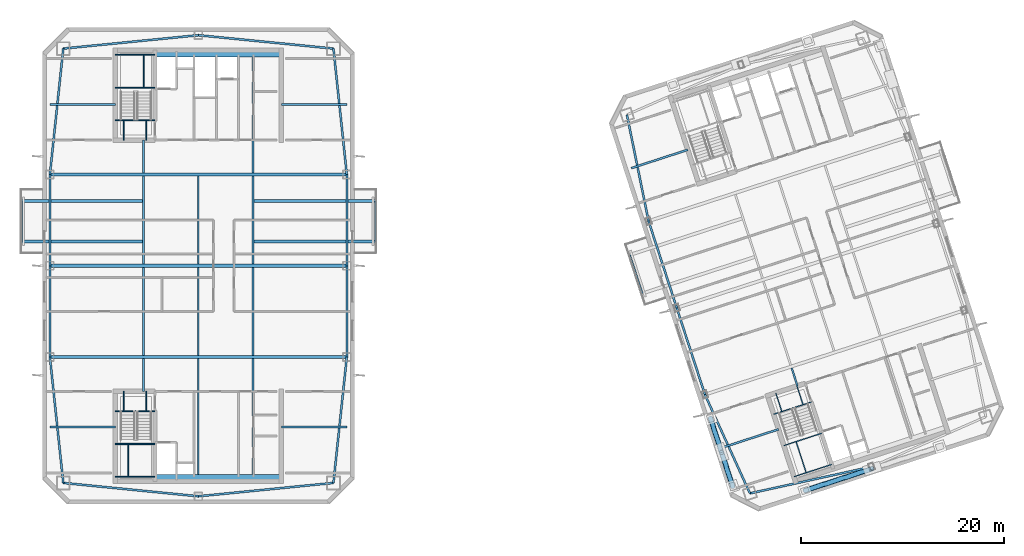
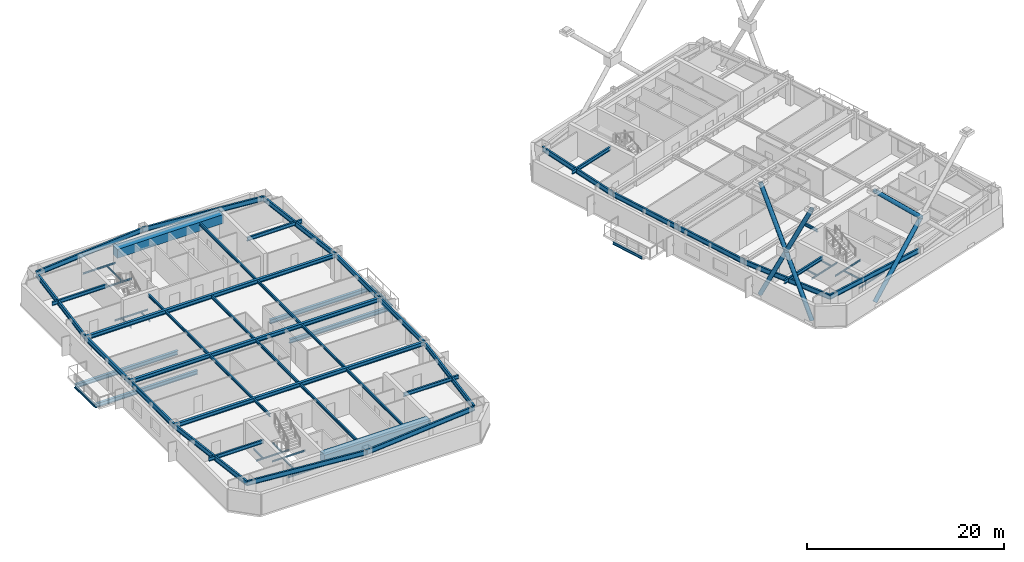
# One storey, part 3 of 18: 65 beams, 6 members.
"""IFC4 building model written with IfcOpenShell, lengths in metres."""

from ifc_helpers import new_model, si_unit, direction, frame, origin, origin_2d, place, context, subcontext, project, spatial, rectangle, hollow_circle, i_section, extrude, material, material_profile, profile_set, type_object, element, save


model = new_model("IFC4")

# Units and contexts
model_context = context("Model", 3, precision=1e-05, world=origin(), true_north=direction((0.0, 1.0)))
body_context = subcontext(model_context, "Body", "Model", "MODEL_VIEW")
ifc_project = project(units=[si_unit("LENGTHUNIT", "METRE"), si_unit("AREAUNIT", "SQUARE_METRE"), si_unit("VOLUMEUNIT", "CUBIC_METRE"), si_unit("PLANEANGLEUNIT", "RADIAN"), si_unit("MASSUNIT", "GRAM", prefix="KILO")], contexts=[model_context])

# Site, building, storey
site_placement = place(None, origin())
site = spatial("IfcSite", under=ifc_project, at=site_placement, CompositionType="ELEMENT")
building_placement = place(site_placement, origin())
building = spatial("IfcBuilding", under=site, at=building_placement, Name="Qiaolan Cultural Towers", CompositionType="ELEMENT")
storey_placement = place(building_placement, frame((0.0, 0.0, 226.550048828125)))
storey = spatial("IfcBuildingStorey", under=building, at=storey_placement, Name="L61", CompositionType="ELEMENT", Elevation=226.550048828125)

# Beams
ifc_material_1 = material(Name="Steel Q355B", Category="steel")
ifc_material_profile_1 = material_profile(ifc_material_1, i_section(OverallWidth=0.300048828125, OverallDepth=0.488037109375, WebThickness=0.010986328125, FlangeThickness=0.01806640625, at=origin_2d()), Name="HM488x300x11x18")
ifc_profile_set_1 = profile_set([ifc_material_profile_1], Name="Steel Q355B")
beam_type_1 = type_object("IfcBeamType", Name="BM-HM488x300x11x18", PredefinedType="BEAM", material=ifc_profile_set_1)
for number, where, z_axis, x_axis, name in (
    (1, (24.60009765625, 36.39990234375, -0.524169921875), (-1.0, 0.0, 0.0), (0.0, -1.0, 0.0), "L61 T1 Tree Balcony Back-Spanned Bracket Beam"),
    (2, (24.60009765625, 40.39990234375, -0.524169921875), (-1.0, 0.0, 0.0), (0.0, -1.0, 0.0), "L61 T1 Tree Balcony Back-Spanned Bracket Beam"),
    (3, (35.39990234375, 36.39990234375, -0.524169921875), (1.0, 0.0, 0.0), (0.0, 1.0, 0.0), "L61 T1 Tree Balcony Back-Spanned Bracket Beam"),
    (4, (35.39990234375, 40.39990234375, -0.524169921875), (1.0, 0.0, 0.0), (0.0, 1.0, 0.0), "L61 T1 Tree Balcony Back-Spanned Bracket Beam"),
):
    element("IfcBeam", number, at=place(storey_placement, frame(where, z_axis=z_axis, x_axis=x_axis)), inside=storey, type_object=beam_type_1, Name=name, PredefinedType="BEAM", context=body_context, shape_type="SweptSolid", body=[
        extrude(i_section(OverallWidth=0.300048828125, OverallDepth=0.488037109375, WebThickness=0.010986328125, FlangeThickness=0.01806640625, at=origin_2d()), origin(), (0.0, 0.0, 1.0), 12.050048828125),
    ])
for number, where, z_axis, x_axis, name in (
    (5, (15.35009765625, 25.0, 2.926025390625), (1.0, 0.0, 0.0), (0.0, 1.0, 0.0), "L61 T1 Primary Transverse Girder V1"),
    (6, (15.35009765625, 34.0, 2.926025390625), (1.0, 0.0, 0.0), (0.0, 1.0, 0.0), "L61 T1 Primary Transverse Girder V2"),
    (7, (15.35009765625, 43.0, 2.926025390625), (1.0, 0.0, 0.0), (0.0, 1.0, 0.0), "L61 T1 Primary Transverse Girder V3"),
):
    element("IfcBeam", number, at=place(storey_placement, frame(where, z_axis=z_axis, x_axis=x_axis)), inside=storey, type_object=beam_type_1, Name=name, PredefinedType="BEAM", context=body_context, shape_type="SweptSolid", body=[
        extrude(i_section(OverallWidth=0.300048828125, OverallDepth=0.488037109375, WebThickness=0.010986328125, FlangeThickness=0.01806640625, at=origin_2d()), origin(), (0.0, 0.0, 1.0), 29.2998046875),
    ])
ifc_material_2 = material(Name="Steel Q355B", Category="steel")
ifc_material_profile_2 = material_profile(ifc_material_2, i_section(OverallWidth=0.175048828125, OverallDepth=0.35009765625, WebThickness=0.007080078125, FlangeThickness=0.010986328125, at=origin_2d()), Name="HN350x175x7x11")
ifc_profile_set_2 = profile_set([ifc_material_profile_2], Name="Steel Q355B")
beam_type_2 = type_object("IfcBeamType", Name="BM-JST-HN350x175x7x11", PredefinedType="JOIST", material=ifc_profile_set_2)
for number, where, z_axis, x_axis, name in (
    (8, (12.550048828125, 36.39990234375, -0.524169921875), (0.0, 1.0, 0.0), (-1.0, 0.0, 0.0), "L61 T1 Tree Balcony Outer Edge Beam"),
    (9, (47.449951171875, 36.39990234375, -0.524169921875), (0.0, 1.0, 0.0), (-1.0, 0.0, 0.0), "L61 T1 Tree Balcony Outer Edge Beam"),
    (10, (73.8037109375, 31.260986328125, -0.524169921875), (-0.309022586479, 0.951054699292, 0.0), (-0.951054699292, -0.309022586479, 0.0), "L61 T2 Tree Balcony Outer Edge Beam"),
):
    element("IfcBeam", number, at=place(storey_placement, frame(where, z_axis=z_axis, x_axis=x_axis)), inside=storey, type_object=beam_type_2, Name=name, PredefinedType="JOIST", context=body_context, shape_type="SweptSolid", body=[
        extrude(i_section(OverallWidth=0.175048828125, OverallDepth=0.35009765625, WebThickness=0.007080078125, FlangeThickness=0.010986328125, at=origin_2d()), origin(), (0.0, 0.0, 1.0), 4.0),
    ])
beam_1_placement = place(storey_placement, frame((24.60009765625, 21.60009765625, 2.994873046875), z_axis=(0.0, 1.0, 0.0), x_axis=(-1.0, 0.0, 0.0)))
element("IfcBeam", 11, at=beam_1_placement, inside=storey, type_object=beam_type_2, Name="L61 T1 Secondary Floor Joist U1-1", PredefinedType="JOIST", context=body_context, shape_type="SweptSolid", body=[
    extrude(i_section(OverallWidth=0.175048828125, OverallDepth=0.35009765625, WebThickness=0.007080078125, FlangeThickness=0.010986328125, at=origin_2d()), origin(), (0.0, 0.0, 1.0), 3.25),
])
for number, where, z_axis, x_axis, name in (
    (12, (24.60009765625, 25.14990234375, 2.994873046875), (0.0, 1.0, 0.0), (-1.0, 0.0, 0.0), "L61 T1 Secondary Floor Joist U1-2"),
    (13, (24.60009765625, 34.14990234375, 2.994873046875), (0.0, 1.0, 0.0), (-1.0, 0.0, 0.0), "L61 T1 Secondary Floor Joist U1-3"),
):
    element("IfcBeam", number, at=place(storey_placement, frame(where, z_axis=z_axis, x_axis=x_axis)), inside=storey, type_object=beam_type_2, Name=name, PredefinedType="JOIST", context=body_context, shape_type="SweptSolid", body=[
        extrude(i_section(OverallWidth=0.175048828125, OverallDepth=0.35009765625, WebThickness=0.007080078125, FlangeThickness=0.010986328125, at=origin_2d()), origin(), (0.0, 0.0, 1.0), 8.7001953125),
    ])
beam_2_placement = place(storey_placement, frame((24.60009765625, 43.14990234375, 2.994873046875), z_axis=(0.0, 1.0, 0.0), x_axis=(-1.0, 0.0, 0.0)))
element("IfcBeam", 14, at=beam_2_placement, inside=storey, type_object=beam_type_2, Name="L61 T1 Secondary Floor Joist U1-4", PredefinedType="JOIST", context=body_context, shape_type="SweptSolid", body=[
    extrude(i_section(OverallWidth=0.175048828125, OverallDepth=0.35009765625, WebThickness=0.007080078125, FlangeThickness=0.010986328125, at=origin_2d()), origin(), (0.0, 0.0, 1.0), 3.25),
])
beam_3_placement = place(storey_placement, frame((30.0, 13.39990234375, 2.994873046875), z_axis=(0.0, 1.0, 0.0), x_axis=(-1.0, 0.0, 0.0)))
element("IfcBeam", 15, at=beam_3_placement, inside=storey, type_object=beam_type_2, Name="L61 T1 Secondary Floor Joist U2-1", PredefinedType="JOIST", context=body_context, shape_type="SweptSolid", body=[
    extrude(i_section(OverallWidth=0.175048828125, OverallDepth=0.35009765625, WebThickness=0.007080078125, FlangeThickness=0.010986328125, at=origin_2d()), origin(), (0.0, 0.0, 1.0), 11.4501953125),
])
for number, where, z_axis, x_axis, name in (
    (16, (30.0, 25.14990234375, 2.994873046875), (0.0, 1.0, 0.0), (-1.0, 0.0, 0.0), "L61 T1 Secondary Floor Joist U2-2"),
    (17, (30.0, 34.14990234375, 2.994873046875), (0.0, 1.0, 0.0), (-1.0, 0.0, 0.0), "L61 T1 Secondary Floor Joist U2-3"),
):
    element("IfcBeam", number, at=place(storey_placement, frame(where, z_axis=z_axis, x_axis=x_axis)), inside=storey, type_object=beam_type_2, Name=name, PredefinedType="JOIST", context=body_context, shape_type="SweptSolid", body=[
        extrude(i_section(OverallWidth=0.175048828125, OverallDepth=0.35009765625, WebThickness=0.007080078125, FlangeThickness=0.010986328125, at=origin_2d()), origin(), (0.0, 0.0, 1.0), 8.7001953125),
    ])
beam_4_placement = place(storey_placement, frame((35.39990234375, 13.39990234375, 2.994873046875), z_axis=(0.0, 1.0, 0.0), x_axis=(-1.0, 0.0, 0.0)))
element("IfcBeam", 18, at=beam_4_placement, inside=storey, type_object=beam_type_2, Name="L61 T1 Secondary Floor Joist U3-1", PredefinedType="JOIST", context=body_context, shape_type="SweptSolid", body=[
    extrude(i_section(OverallWidth=0.175048828125, OverallDepth=0.35009765625, WebThickness=0.007080078125, FlangeThickness=0.010986328125, at=origin_2d()), origin(), (0.0, 0.0, 1.0), 11.4501953125),
])
for number, where, z_axis, x_axis, name in (
    (19, (35.39990234375, 25.14990234375, 2.994873046875), (0.0, 1.0, 0.0), (-1.0, 0.0, 0.0), "L61 T1 Secondary Floor Joist U3-2"),
    (20, (35.39990234375, 34.14990234375, 2.994873046875), (0.0, 1.0, 0.0), (-1.0, 0.0, 0.0), "L61 T1 Secondary Floor Joist U3-3"),
):
    element("IfcBeam", number, at=place(storey_placement, frame(where, z_axis=z_axis, x_axis=x_axis)), inside=storey, type_object=beam_type_2, Name=name, PredefinedType="JOIST", context=body_context, shape_type="SweptSolid", body=[
        extrude(i_section(OverallWidth=0.175048828125, OverallDepth=0.35009765625, WebThickness=0.007080078125, FlangeThickness=0.010986328125, at=origin_2d()), origin(), (0.0, 0.0, 1.0), 8.7001953125),
    ])
beam_5_placement = place(storey_placement, frame((35.39990234375, 43.14990234375, 2.994873046875), z_axis=(0.0, 1.0, 0.0), x_axis=(-1.0, 0.0, 0.0)))
element("IfcBeam", 21, at=beam_5_placement, inside=storey, type_object=beam_type_2, Name="L61 T1 Secondary Floor Joist U3-4", PredefinedType="JOIST", context=body_context, shape_type="SweptSolid", body=[
    extrude(i_section(OverallWidth=0.175048828125, OverallDepth=0.35009765625, WebThickness=0.007080078125, FlangeThickness=0.010986328125, at=origin_2d()), origin(), (0.0, 0.0, 1.0), 11.4501953125),
])
beam_6_placement = place(storey_placement, frame((89.119384765625, 22.147705078125, 2.994873046875), z_axis=(-0.308933885266, 0.951083516067, 0.0), x_axis=(-0.951083516067, -0.308933885266, 0.0)))
element("IfcBeam", 22, at=beam_6_placement, inside=storey, type_object=beam_type_2, Name="L61 T2 Secondary Floor Joist U1-1", PredefinedType="JOIST", context=body_context, shape_type="SweptSolid", body=[
    extrude(i_section(OverallWidth=0.175048828125, OverallDepth=0.35009765625, WebThickness=0.007080078125, FlangeThickness=0.010986328125, at=origin_2d()), origin(), (0.0, 0.0, 1.0), 1.85009765625),
])
ifc_material_3 = material(Name="Steel Q355B", Category="steel")
ifc_material_profile_3 = material_profile(ifc_material_3, i_section(OverallWidth=0.199951171875, OverallDepth=0.449951171875, WebThickness=0.009033203125, FlangeThickness=0.013916015625, at=origin_2d()), Name="HN450x200x9x14")
ifc_profile_set_3 = profile_set([ifc_material_profile_3], Name="Steel Q355B")
beam_type_3 = type_object("IfcBeamType", Name="BM-LNT-HN450x200x9x14", PredefinedType="LINTEL", material=ifc_profile_set_3)
for number, where, z_axis, x_axis, name in (
    (23, (21.800048828125, 18.10009765625, 2.945068359375), (-1.0, 0.0, 0.0), (0.0, -1.0, 0.0), "L61 T1 Core Flank Tie Lintel WS"),
    (24, (21.800048828125, 49.89990234375, 2.945068359375), (-1.0, 0.0, 0.0), (0.0, -1.0, 0.0), "L61 T1 Core Flank Tie Lintel WN"),
    (25, (38.199951171875, 18.10009765625, 2.945068359375), (1.0, 0.0, 0.0), (0.0, 1.0, 0.0), "L61 T1 Core Flank Tie Lintel ES"),
    (26, (38.199951171875, 49.89990234375, 2.945068359375), (1.0, 0.0, 0.0), (0.0, 1.0, 0.0), "L61 T1 Core Flank Tie Lintel EN"),
):
    element("IfcBeam", number, at=place(storey_placement, frame(where, z_axis=z_axis, x_axis=x_axis)), inside=storey, type_object=beam_type_3, Name=name, PredefinedType="LINTEL", context=body_context, shape_type="SweptSolid", body=[
        extrude(i_section(OverallWidth=0.199951171875, OverallDepth=0.449951171875, WebThickness=0.009033203125, FlangeThickness=0.013916015625, at=origin_2d()), origin(), (0.0, 0.0, 1.0), 6.449951171875),
    ])
for number, where, z_axis, x_axis, name in (
    (27, (87.252685546875, 17.861083984375, 2.945068359375), (-0.951063813276, -0.308994535675, 0.0), (0.308994535675, -0.951063813276, 0.0), "L61 T2 Core Flank Tie Lintel WS"),
    (28, (78.291259765625, 45.44189453125, 2.945068359375), (-0.951051548326, -0.309032283793, 0.0), (0.309032283793, -0.951051548326, 0.0), "L61 T2 Core Flank Tie Lintel WN"),
):
    element("IfcBeam", number, at=place(storey_placement, frame(where, z_axis=z_axis, x_axis=x_axis)), inside=storey, type_object=beam_type_3, Name=name, PredefinedType="LINTEL", context=body_context, shape_type="SweptSolid", body=[
        extrude(i_section(OverallWidth=0.199951171875, OverallDepth=0.449951171875, WebThickness=0.009033203125, FlangeThickness=0.013916015625, at=origin_2d()), origin(), (0.0, 0.0, 1.0), 5.85009765625),
    ])
ifc_material_4 = material(Name="Concrete C50", Category="concrete")
ifc_material_profile_4 = material_profile(ifc_material_4, rectangle(XDim=0.89990234375, YDim=1.10009765625, at=origin_2d()), Name="RC900x1100")
ifc_profile_set_4 = profile_set([ifc_material_profile_4], Name="Concrete C50")
beam_type_4 = type_object("IfcBeamType", Name="BM-RC900x1100", PredefinedType="BEAM", material=ifc_profile_set_4)
for number, where, z_axis, x_axis, name in (
    (29, (25.719970703125, 12.949951171875, 2.619873046875), (1.0, 0.0, 0.0), (0.0, 1.0, 0.0), "L61 T1 Core Header Girder S"),
    (30, (25.719970703125, 55.050048828125, 2.619873046875), (1.0, 0.0, 0.0), (0.0, 1.0, 0.0), "L61 T1 Core Header Girder N"),
):
    element("IfcBeam", number, at=place(storey_placement, frame(where, z_axis=z_axis, x_axis=x_axis)), inside=storey, type_object=beam_type_4, Name=name, PredefinedType="BEAM", context=body_context, shape_type="SweptSolid", body=[
        extrude(rectangle(XDim=0.89990234375, YDim=1.10009765625, at=origin_2d()), origin(), (0.0, 0.0, 1.0), 12.47998046875),
    ])
ifc_material_5 = material(Name="Steel Q355B", Category="steel")
ifc_material_profile_5 = material_profile(ifc_material_5, i_section(OverallWidth=0.199951171875, OverallDepth=0.60009765625, WebThickness=0.010986328125, FlangeThickness=0.01708984375, at=origin_2d()), Name="HN600x200x11x17")
ifc_profile_set_5 = profile_set([ifc_material_profile_5], Name="Steel Q355B")
beam_type_5 = type_object("IfcBeamType", Name="BM-SPD-HN600x200x11x17", PredefinedType="SPANDREL", material=ifc_profile_set_5)
for number, where, z_axis, x_axis, name in (
    (31, (16.669921875, 12.570068359375, 2.869873046875), (0.995132371263, -0.098547266143, 0.0), (0.098547266143, 0.995132371263, 0.0), "L61 T1 Perimeter Spandrel Beam 1"),
    (32, (30.0, 11.25, 2.869873046875), (0.995132371263, 0.098547266143, 0.0), (-0.098547266143, 0.995132371263, 0.0), "L61 T1 Perimeter Spandrel Beam 2"),
):
    element("IfcBeam", number, at=place(storey_placement, frame(where, z_axis=z_axis, x_axis=x_axis)), inside=storey, type_object=beam_type_5, Name=name, PredefinedType="SPANDREL", context=body_context, shape_type="SweptSolid", body=[
        extrude(i_section(OverallWidth=0.199951171875, OverallDepth=0.60009765625, WebThickness=0.010986328125, FlangeThickness=0.01708984375, at=origin_2d()), origin(), (0.0, 0.0, 1.0), 13.395263671875),
    ])
beam_7_placement = place(storey_placement, frame((43.330078125, 12.570068359375, 2.869873046875), z_axis=(0.105587580773, 0.994410007384, 0.0), x_axis=(-0.994410007384, 0.105587580773, 0.0)))
element("IfcBeam", 33, at=beam_7_placement, inside=storey, type_object=beam_type_5, Name="L61 T1 Perimeter Spandrel Beam 3", PredefinedType="SPANDREL", context=body_context, shape_type="SweptSolid", body=[
    extrude(i_section(OverallWidth=0.199951171875, OverallDepth=0.60009765625, WebThickness=0.010986328125, FlangeThickness=0.01708984375, at=origin_2d()), origin(), (0.0, 0.0, 1.0), 12.499755859375),
])
for number, where, z_axis, x_axis, name in (
    (34, (44.64990234375, 25.0, 2.869873046875), (0.0, 1.0, 0.0), (-1.0, 0.0, 0.0), "L61 T1 Perimeter Spandrel Beam 4"),
    (35, (44.64990234375, 34.0, 2.869873046875), (0.0, 1.0, 0.0), (-1.0, 0.0, 0.0), "L61 T1 Perimeter Spandrel Beam 5"),
):
    element("IfcBeam", number, at=place(storey_placement, frame(where, z_axis=z_axis, x_axis=x_axis)), inside=storey, type_object=beam_type_5, Name=name, PredefinedType="SPANDREL", context=body_context, shape_type="SweptSolid", body=[
        extrude(i_section(OverallWidth=0.199951171875, OverallDepth=0.60009765625, WebThickness=0.010986328125, FlangeThickness=0.01708984375, at=origin_2d()), origin(), (0.0, 0.0, 1.0), 9.0),
    ])
beam_8_placement = place(storey_placement, frame((44.64990234375, 43.0, 2.869873046875), z_axis=(-0.105587580773, 0.994410007384, 0.0), x_axis=(-0.994410007384, -0.105587580773, 0.0)))
element("IfcBeam", 36, at=beam_8_placement, inside=storey, type_object=beam_type_5, Name="L61 T1 Perimeter Spandrel Beam 6", PredefinedType="SPANDREL", context=body_context, shape_type="SweptSolid", body=[
    extrude(i_section(OverallWidth=0.199951171875, OverallDepth=0.60009765625, WebThickness=0.010986328125, FlangeThickness=0.01708984375, at=origin_2d()), origin(), (0.0, 0.0, 1.0), 12.499755859375),
])
for number, where, z_axis, x_axis, name in (
    (37, (43.330078125, 55.429931640625, 2.869873046875), (-0.995132371263, 0.098547266143, 0.0), (-0.098547266143, -0.995132371263, 0.0), "L61 T1 Perimeter Spandrel Beam 7"),
    (38, (30.0, 56.75, 2.869873046875), (-0.995132371263, -0.098547266143, 0.0), (0.098547266143, -0.995132371263, 0.0), "L61 T1 Perimeter Spandrel Beam 8"),
):
    element("IfcBeam", number, at=place(storey_placement, frame(where, z_axis=z_axis, x_axis=x_axis)), inside=storey, type_object=beam_type_5, Name=name, PredefinedType="SPANDREL", context=body_context, shape_type="SweptSolid", body=[
        extrude(i_section(OverallWidth=0.199951171875, OverallDepth=0.60009765625, WebThickness=0.010986328125, FlangeThickness=0.01708984375, at=origin_2d()), origin(), (0.0, 0.0, 1.0), 13.395263671875),
    ])
beam_9_placement = place(storey_placement, frame((16.669921875, 55.429931640625, 2.869873046875), z_axis=(-0.105587580773, -0.994410007384, 0.0), x_axis=(0.994410007384, -0.105587580773, 0.0)))
element("IfcBeam", 39, at=beam_9_placement, inside=storey, type_object=beam_type_5, Name="L61 T1 Perimeter Spandrel Beam 9", PredefinedType="SPANDREL", context=body_context, shape_type="SweptSolid", body=[
    extrude(i_section(OverallWidth=0.199951171875, OverallDepth=0.60009765625, WebThickness=0.010986328125, FlangeThickness=0.01708984375, at=origin_2d()), origin(), (0.0, 0.0, 1.0), 12.499755859375),
])
for number, where, z_axis, x_axis, name in (
    (40, (15.35009765625, 43.0, 2.869873046875), (0.0, -1.0, 0.0), (1.0, 0.0, 0.0), "L61 T1 Perimeter Spandrel Beam 10"),
    (41, (15.35009765625, 34.0, 2.869873046875), (0.0, -1.0, 0.0), (1.0, 0.0, 0.0), "L61 T1 Perimeter Spandrel Beam 11"),
):
    element("IfcBeam", number, at=place(storey_placement, frame(where, z_axis=z_axis, x_axis=x_axis)), inside=storey, type_object=beam_type_5, Name=name, PredefinedType="SPANDREL", context=body_context, shape_type="SweptSolid", body=[
        extrude(i_section(OverallWidth=0.199951171875, OverallDepth=0.60009765625, WebThickness=0.010986328125, FlangeThickness=0.01708984375, at=origin_2d()), origin(), (0.0, 0.0, 1.0), 9.0),
    ])
beam_10_placement = place(storey_placement, frame((15.35009765625, 25.0, 2.869873046875), z_axis=(0.105587580773, -0.994410007384, 0.0), x_axis=(0.994410007384, 0.105587580773, 0.0)))
element("IfcBeam", 42, at=beam_10_placement, inside=storey, type_object=beam_type_5, Name="L61 T1 Perimeter Spandrel Beam 12", PredefinedType="SPANDREL", context=body_context, shape_type="SweptSolid", body=[
    extrude(i_section(OverallWidth=0.199951171875, OverallDepth=0.60009765625, WebThickness=0.010986328125, FlangeThickness=0.01708984375, at=origin_2d()), origin(), (0.0, 0.0, 1.0), 12.499755859375),
])
beam_11_placement = place(storey_placement, frame((84.42822265625, 11.538818359375, 2.869873046875), z_axis=(0.976843395078, 0.213955559619, 0.0), x_axis=(-0.213955559619, 0.976843395078, 0.0)))
element("IfcBeam", 43, at=beam_11_placement, inside=storey, type_object=beam_type_5, Name="L61 T2 Perimeter Spandrel Beam 1", PredefinedType="SPANDREL", context=body_context, shape_type="SweptSolid", body=[
    extrude(i_section(OverallWidth=0.199951171875, OverallDepth=0.60009765625, WebThickness=0.010986328125, FlangeThickness=0.01708984375, at=origin_2d()), origin(), (0.0, 0.0, 1.0), 12.2998046875),
])
beam_12_placement = place(storey_placement, frame((72.2900390625, 48.896484375, 2.869873046875), z_axis=(0.199578538116, -0.979881833245, 0.0), x_axis=(0.979881833245, 0.199578538116, 0.0)))
element("IfcBeam", 44, at=beam_12_placement, inside=storey, type_object=beam_type_5, Name="L61 T2 Perimeter Spandrel Beam 9", PredefinedType="SPANDREL", context=body_context, shape_type="SweptSolid", body=[
    extrude(i_section(OverallWidth=0.199951171875, OverallDepth=0.60009765625, WebThickness=0.010986328125, FlangeThickness=0.01708984375, at=origin_2d()), origin(), (0.0, 0.0, 1.0), 10.70849609375),
])
for number, where, z_axis, x_axis, name in (
    (45, (74.42724609375, 38.4033203125, 2.869873046875), (0.309000197986, -0.951061973609, 0.0), (0.951061973609, 0.309000197986, 0.0), "L61 T2 Perimeter Spandrel Beam 10"),
    (46, (77.208251953125, 29.84375, 2.869873046875), (0.309024734286, -0.951054001411, 0.0), (0.951054001411, 0.309024734286, 0.0), "L61 T2 Perimeter Spandrel Beam 11"),
):
    element("IfcBeam", number, at=place(storey_placement, frame(where, z_axis=z_axis, x_axis=x_axis)), inside=storey, type_object=beam_type_5, Name=name, PredefinedType="SPANDREL", context=body_context, shape_type="SweptSolid", body=[
        extrude(i_section(OverallWidth=0.199951171875, OverallDepth=0.60009765625, WebThickness=0.010986328125, FlangeThickness=0.01708984375, at=origin_2d()), origin(), (0.0, 0.0, 1.0), 9.0),
    ])
beam_13_placement = place(storey_placement, frame((79.989501953125, 21.2841796875, 2.869873046875), z_axis=(0.414500208282, -0.910049216985, 0.0), x_axis=(0.910049216985, 0.414500208282, 0.0)))
element("IfcBeam", 47, at=beam_13_placement, inside=storey, type_object=beam_type_5, Name="L61 T2 Perimeter Spandrel Beam 12", PredefinedType="SPANDREL", context=body_context, shape_type="SweptSolid", body=[
    extrude(i_section(OverallWidth=0.199951171875, OverallDepth=0.60009765625, WebThickness=0.010986328125, FlangeThickness=0.01708984375, at=origin_2d()), origin(), (0.0, 0.0, 1.0), 10.70849609375),
])
ifc_material_6 = material(Name="Steel Q355B", Category="steel")
ifc_material_profile_6 = material_profile(ifc_material_6, i_section(OverallWidth=0.10009765625, OverallDepth=0.199951171875, WebThickness=0.005615234375, FlangeThickness=0.008056640625, at=origin_2d()), Name="HN200x100x5.5x8")
ifc_profile_set_6 = profile_set([ifc_material_profile_6], Name="Steel Q355B")
beam_type_6 = type_object("IfcBeamType", Name="BM-STTRIM-200", PredefinedType="BEAM", material=ifc_profile_set_6)
beam_14_placement = place(storey_placement, frame((21.800048828125, 19.659912109375, -0.4599609375), z_axis=(1.0, 0.0, 0.0), x_axis=(0.0, 1.0, 0.0)))
element("IfcBeam", 48, at=beam_14_placement, inside=storey, type_object=beam_type_6, Name="L61 ST-W1 Floor Landing Header Beam", PredefinedType="BEAM", context=body_context, shape_type="SweptSolid", body=[
    extrude(i_section(OverallWidth=0.10009765625, OverallDepth=0.199951171875, WebThickness=0.005615234375, FlangeThickness=0.008056640625, at=origin_2d()), origin(), (0.0, 0.0, 1.0), 3.919921875),
])
for number, where, z_axis, x_axis, name in (
    (49, (22.64990234375, 21.60009765625, -0.4599609375), (0.0, -1.0, 0.0), (1.0, 0.0, 0.0), "L61 ST-W1 Floor Landing Stringer 1"),
    (50, (24.85009765625, 21.60009765625, -0.4599609375), (0.0, -1.0, 0.0), (1.0, 0.0, 0.0), "L61 ST-W1 Floor Landing Stringer 2"),
):
    element("IfcBeam", number, at=place(storey_placement, frame(where, z_axis=z_axis, x_axis=x_axis)), inside=storey, type_object=beam_type_6, Name=name, PredefinedType="BEAM", context=body_context, shape_type="SweptSolid", body=[
        extrude(i_section(OverallWidth=0.10009765625, OverallDepth=0.199951171875, WebThickness=0.005615234375, FlangeThickness=0.008056640625, at=origin_2d()), origin(), (0.0, 0.0, 1.0), 1.940185546875),
    ])
for number, where, z_axis, x_axis, name in (
    (51, (21.800048828125, 16.411376953125, 1.425048828125), (1.0, 0.0, 0.0), (0.0, 1.0, 0.0), "L61 ST-W1 Stair Landing Support Beam 1-1"),
    (52, (21.800048828125, 13.179931640625, 1.425048828125), (1.0, 0.0, 0.0), (0.0, 1.0, 0.0), "L61 ST-W1 Stair Landing Support Beam 1-2"),
):
    element("IfcBeam", number, at=place(storey_placement, frame(where, z_axis=z_axis, x_axis=x_axis)), inside=storey, type_object=beam_type_6, Name=name, PredefinedType="BEAM", context=body_context, shape_type="SweptSolid", body=[
        extrude(i_section(OverallWidth=0.10009765625, OverallDepth=0.199951171875, WebThickness=0.005615234375, FlangeThickness=0.008056640625, at=origin_2d()), origin(), (0.0, 0.0, 1.0), 3.919921875),
    ])
beam_15_placement = place(storey_placement, frame((23.070068359375, 16.411376953125, 1.425048828125), z_axis=(0.0, -1.0, 0.0), x_axis=(1.0, 0.0, 0.0)))
element("IfcBeam", 53, at=beam_15_placement, inside=storey, type_object=beam_type_6, Name="L61 ST-W1 Stair Landing Trimmer 1", PredefinedType="BEAM", context=body_context, shape_type="SweptSolid", body=[
    extrude(i_section(OverallWidth=0.10009765625, OverallDepth=0.199951171875, WebThickness=0.005615234375, FlangeThickness=0.008056640625, at=origin_2d()), origin(), (0.0, 0.0, 1.0), 3.2314453125),
])
beam_16_placement = place(storey_placement, frame((21.800048828125, 48.340087890625, -0.4599609375), z_axis=(1.0, 0.0, 0.0), x_axis=(0.0, 1.0, 0.0)))
element("IfcBeam", 54, at=beam_16_placement, inside=storey, type_object=beam_type_6, Name="L61 ST-W2 Floor Landing Header Beam", PredefinedType="BEAM", context=body_context, shape_type="SweptSolid", body=[
    extrude(i_section(OverallWidth=0.10009765625, OverallDepth=0.199951171875, WebThickness=0.005615234375, FlangeThickness=0.008056640625, at=origin_2d()), origin(), (0.0, 0.0, 1.0), 3.919921875),
])
for number, where, z_axis, x_axis, name in (
    (55, (22.64990234375, 46.39990234375, -0.4599609375), (0.0, 1.0, 0.0), (-1.0, 0.0, 0.0), "L61 ST-W2 Floor Landing Stringer 1"),
    (56, (24.85009765625, 46.39990234375, -0.4599609375), (0.0, 1.0, 0.0), (-1.0, 0.0, 0.0), "L61 ST-W2 Floor Landing Stringer 2"),
):
    element("IfcBeam", number, at=place(storey_placement, frame(where, z_axis=z_axis, x_axis=x_axis)), inside=storey, type_object=beam_type_6, Name=name, PredefinedType="BEAM", context=body_context, shape_type="SweptSolid", body=[
        extrude(i_section(OverallWidth=0.10009765625, OverallDepth=0.199951171875, WebThickness=0.005615234375, FlangeThickness=0.008056640625, at=origin_2d()), origin(), (0.0, 0.0, 1.0), 1.940185546875),
    ])
for number, where, z_axis, x_axis, name in (
    (57, (21.800048828125, 51.588623046875, 1.425048828125), (1.0, 0.0, 0.0), (0.0, 1.0, 0.0), "L61 ST-W2 Stair Landing Support Beam 1-1"),
    (58, (21.800048828125, 54.820068359375, 1.425048828125), (1.0, 0.0, 0.0), (0.0, 1.0, 0.0), "L61 ST-W2 Stair Landing Support Beam 1-2"),
):
    element("IfcBeam", number, at=place(storey_placement, frame(where, z_axis=z_axis, x_axis=x_axis)), inside=storey, type_object=beam_type_6, Name=name, PredefinedType="BEAM", context=body_context, shape_type="SweptSolid", body=[
        extrude(i_section(OverallWidth=0.10009765625, OverallDepth=0.199951171875, WebThickness=0.005615234375, FlangeThickness=0.008056640625, at=origin_2d()), origin(), (0.0, 0.0, 1.0), 3.919921875),
    ])
beam_17_placement = place(storey_placement, frame((24.610107421875, 51.588623046875, 1.425048828125), z_axis=(0.0, 1.0, 0.0), x_axis=(-1.0, 0.0, 0.0)))
element("IfcBeam", 59, at=beam_17_placement, inside=storey, type_object=beam_type_6, Name="L61 ST-W2 Stair Landing Trimmer 1", PredefinedType="BEAM", context=body_context, shape_type="SweptSolid", body=[
    extrude(i_section(OverallWidth=0.10009765625, OverallDepth=0.199951171875, WebThickness=0.005615234375, FlangeThickness=0.008056640625, at=origin_2d()), origin(), (0.0, 0.0, 1.0), 3.2314453125),
])
beam_18_placement = place(storey_placement, frame((86.770751953125, 19.3447265625, -0.4599609375), z_axis=(0.951047798727, 0.309043823005, 0.0), x_axis=(-0.309043823005, 0.951047798727, 0.0)))
element("IfcBeam", 60, at=beam_18_placement, inside=storey, type_object=beam_type_6, Name="L61 ST-E1 Floor Landing Header Beam", PredefinedType="BEAM", context=body_context, shape_type="SweptSolid", body=[
    extrude(i_section(OverallWidth=0.10009765625, OverallDepth=0.199951171875, WebThickness=0.005615234375, FlangeThickness=0.008056640625, at=origin_2d()), origin(), (0.0, 0.0, 1.0), 3.919921875),
])
for number, where, z_axis, x_axis, name in (
    (61, (86.9794921875, 21.452392578125, -0.4599609375), (0.309083226701, -0.951034993558, 0.0), (0.951034993558, 0.309083226701, 0.0), "L61 ST-E1 Floor Landing Stringer 1"),
    (62, (89.07177734375, 22.13232421875, -0.4599609375), (0.309083226701, -0.951034993558, 0.0), (0.951034993558, 0.309083226701, 0.0), "L61 ST-E1 Floor Landing Stringer 2"),
):
    element("IfcBeam", number, at=place(storey_placement, frame(where, z_axis=z_axis, x_axis=x_axis)), inside=storey, type_object=beam_type_6, Name=name, PredefinedType="BEAM", context=body_context, shape_type="SweptSolid", body=[
        extrude(i_section(OverallWidth=0.10009765625, OverallDepth=0.199951171875, WebThickness=0.005615234375, FlangeThickness=0.008056640625, at=origin_2d()), origin(), (0.0, 0.0, 1.0), 1.93994140625),
    ])
for number, where, z_axis, x_axis, name in (
    (63, (87.774658203125, 16.255126953125, 1.425048828125), (0.951047798727, 0.309043823005, 0.0), (-0.309043823005, 0.951047798727, 0.0), "L61 ST-E1 Stair Landing Support Beam 1-1"),
    (64, (88.773193359375, 13.181884765625, 1.425048828125), (0.951047798727, 0.309043823005, 0.0), (-0.309043823005, 0.951047798727, 0.0), "L61 ST-E1 Stair Landing Support Beam 1-2"),
):
    element("IfcBeam", number, at=place(storey_placement, frame(where, z_axis=z_axis, x_axis=x_axis)), inside=storey, type_object=beam_type_6, Name=name, PredefinedType="BEAM", context=body_context, shape_type="SweptSolid", body=[
        extrude(i_section(OverallWidth=0.10009765625, OverallDepth=0.199951171875, WebThickness=0.005615234375, FlangeThickness=0.008056640625, at=origin_2d()), origin(), (0.0, 0.0, 1.0), 3.919921875),
    ])
beam_19_placement = place(storey_placement, frame((88.982421875, 16.6474609375, 1.425048828125), z_axis=(0.309033108495, -0.951051280349, 0.0), x_axis=(0.951051280349, 0.309033108495, 0.0)))
element("IfcBeam", 65, at=beam_19_placement, inside=storey, type_object=beam_type_6, Name="L61 ST-E1 Stair Landing Trimmer 1", PredefinedType="BEAM", context=body_context, shape_type="SweptSolid", body=[
    extrude(i_section(OverallWidth=0.10009765625, OverallDepth=0.199951171875, WebThickness=0.005615234375, FlangeThickness=0.008056640625, at=origin_2d()), origin(), (0.0, 0.0, 1.0), 3.231201171875),
])

# Members
ifc_material_7 = material(Name="Steel Q355B", Category="steel")
ifc_material_profile_7 = material_profile(ifc_material_7, hollow_circle(Radius=0.25, WallThickness=0.02490234375, at=origin_2d()), Name="CHS500x25")
ifc_profile_set_7 = profile_set([ifc_material_profile_7], Name="Steel Q355B")
member_type = type_object("IfcMemberType", Name="MBR-BRC-CHS500x25", PredefinedType="BRACE", material=ifc_profile_set_7)
member_1_placement = place(storey_placement, frame((82.719482421875, 12.23486328125, 0.14990234375), z_axis=(-0.140590397794, 0.432673093346, 0.890521383428), x_axis=(-0.951052389726, -0.30902969436, 0.0)))
element("IfcMember", 66, at=member_1_placement, inside=storey, type_object=member_type, Name="T2 WEST Perimeter Frame Diagonal E-Z4-M3-D1A", PredefinedType="BRACE", context=body_context, shape_type="SweptSolid", body=[
    extrude(hollow_circle(Radius=0.25, WallThickness=0.02490234375, at=origin_2d()), origin(), (0.0, 0.0, 1.0), 7.74853515625),
])
member_2_placement = place(storey_placement, frame((81.630126953125, 15.58740234375, 7.050048828125), z_axis=(-0.140594342701, 0.432685233968, 0.890514861811), x_axis=(-0.951052389726, -0.30902969436, 0.0)))
element("IfcMember", 67, at=member_2_placement, inside=storey, type_object=member_type, Name="T2 WEST Perimeter Frame Diagonal E-Z4-M3-D1B", PredefinedType="BRACE", context=body_context, shape_type="SweptSolid", body=[
    extrude(hollow_circle(Radius=0.25, WallThickness=0.02490234375, at=origin_2d()), origin(), (0.0, 0.0, 1.0), 7.748291015625),
])
member_3_placement = place(storey_placement, frame((80.540771484375, 18.93994140625, 0.14990234375), z_axis=(0.140590397794, -0.432673093346, 0.890521383428), x_axis=(0.951052389726, 0.30902969436, 0.0)))
element("IfcMember", 68, at=member_3_placement, inside=storey, type_object=member_type, Name="T2 WEST Perimeter Frame Diagonal E-Z4-M3-D2A", PredefinedType="BRACE", context=body_context, shape_type="SweptSolid", body=[
    extrude(hollow_circle(Radius=0.25, WallThickness=0.02490234375, at=origin_2d()), origin(), (0.0, 0.0, 1.0), 7.74853515625),
])
member_4_placement = place(storey_placement, frame((81.630126953125, 15.58740234375, 7.050048828125), z_axis=(0.140594342701, -0.432685233968, 0.890514861811), x_axis=(0.951052389726, 0.30902969436, 0.0)))
element("IfcMember", 69, at=member_4_placement, inside=storey, type_object=member_type, Name="T2 WEST Perimeter Frame Diagonal E-Z4-M3-D2B", PredefinedType="BRACE", context=body_context, shape_type="SweptSolid", body=[
    extrude(hollow_circle(Radius=0.25, WallThickness=0.02490234375, at=origin_2d()), origin(), (0.0, 0.0, 1.0), 7.748291015625),
])
for number, where, z_axis, x_axis, name in (
    (70, (89.847412109375, 11.817138671875, 0.14990234375), (0.677316652375, 0.220067679051, 0.702005960838), (-0.309009574742, 0.951058927048, 0.0), "T2 SOUTH Perimeter Frame Diagonal E-Z4-M3-D1A"),
    (71, (96.5048828125, 13.980224609375, 7.050048828125), (-0.677328462617, -0.220071516329, 0.70199336281), (0.309009574742, -0.951058927048, 0.0), "T2 SOUTH Perimeter Frame Diagonal E-Z4-M3-D2B"),
):
    element("IfcMember", number, at=place(storey_placement, frame(where, z_axis=z_axis, x_axis=x_axis)), inside=storey, type_object=member_type, Name=name, PredefinedType="BRACE", context=body_context, shape_type="SweptSolid", body=[
        extrude(hollow_circle(Radius=0.25, WallThickness=0.02490234375, at=origin_2d()), origin(), (0.0, 0.0, 1.0), 9.8291015625),
    ])

save(model, "model.ifc")
